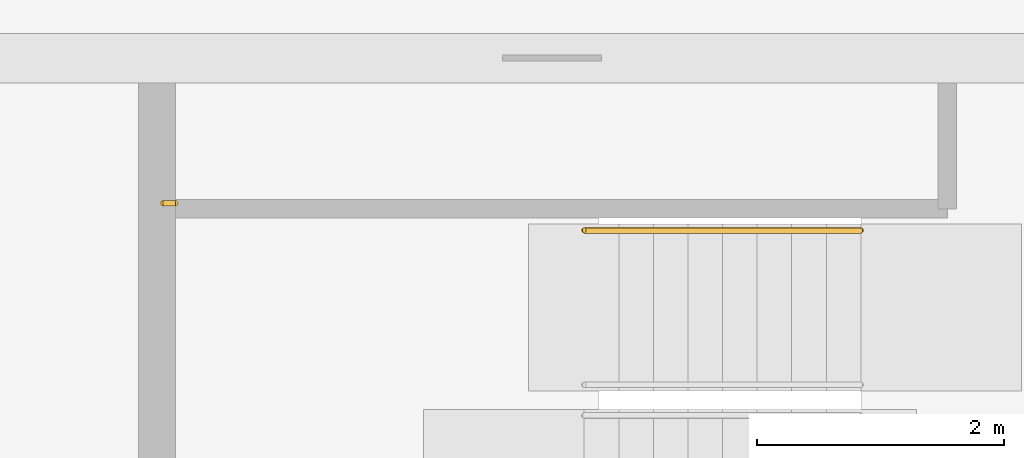
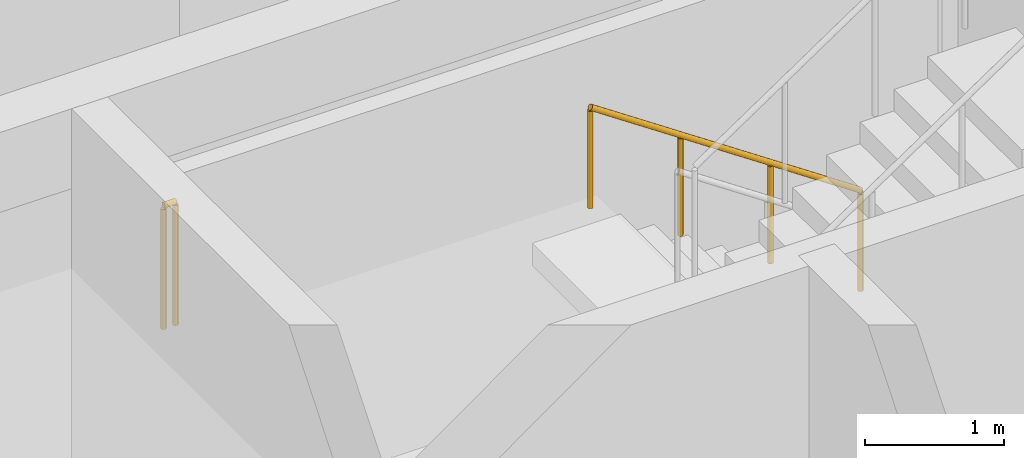
# One storey, part 11 of 12: 2 railings.
"""IFC4 building model written with IfcOpenShell, lengths in metres."""

from ifc_helpers import new_model, si_unit, direction, frame, origin, origin_2d, place, context, subcontext, project, spatial, circle, extrude, material, type_object, element, save


model = new_model("IFC4")

# Units and contexts
model_context = context("Model", 3, precision=1e-05, world=origin(), true_north=direction((0.0, 1.0)))
body_context = subcontext(model_context, "Body", "Model", "MODEL_VIEW")
ifc_project = project(units=[si_unit("LENGTHUNIT", "METRE"), si_unit("AREAUNIT", "SQUARE_METRE"), si_unit("VOLUMEUNIT", "CUBIC_METRE"), si_unit("PLANEANGLEUNIT", "RADIAN"), si_unit("MASSUNIT", "GRAM", prefix="KILO")], contexts=[model_context])

# Site, building, storey
site_placement = place(None, origin())
site = spatial("IfcSite", under=ifc_project, at=site_placement, CompositionType="ELEMENT")
building_placement = place(site_placement, origin())
building = spatial("IfcBuilding", under=site, at=building_placement, Name="Windrow Commons", CompositionType="ELEMENT")
storey_placement = place(building_placement, frame((0.0, 0.0, 277.8)))
storey = spatial("IfcBuildingStorey", under=building, at=storey_placement, Name="L76", CompositionType="ELEMENT", Elevation=277.8)

# Railings
ifc_material_1 = material(Name="Steel S355", Category="steel")
railing_type_1 = type_object("IfcRailingType", Name="Core stair guard 1100", PredefinedType="GUARDRAIL", material=ifc_material_1)
railing_1_placement = place(storey_placement, frame((64.95, 63.825, 1.7)))
element("IfcRailing", 1, at=railing_1_placement, inside=storey, type_object=railing_type_1, Name="L76 ST-A2 stair guard 3", PredefinedType="GUARDRAIL", context=body_context, shape_type="SweptSolid", body=[
    extrude(circle(Radius=0.024, at=origin_2d()), frame((0.0, 0.0, 1.076), z_axis=(-1.0, 0.0, 0.0), x_axis=(0.0, -1.0, 0.0)), (0.0, 0.0, 1.0), 0.1),
    extrude(circle(Radius=0.021, at=origin_2d()), origin(), (0.0, 0.0, 1.0), 1.052),
    extrude(circle(Radius=0.021, at=origin_2d()), frame((-0.1, 0.0, 0.0)), (0.0, 0.0, 1.0), 1.052),
])
ifc_material_2 = material(Name="Steel S355", Category="steel")
railing_type_2 = type_object("IfcRailingType", Name="Core stair handrail 900", PredefinedType="HANDRAIL", material=ifc_material_2)
railing_2_placement = place(storey_placement, frame((70.5, 63.605, 0.1889)))
element("IfcRailing", 2, at=railing_2_placement, inside=storey, type_object=railing_type_2, Name="L76 ST-A2 stair handrail 1", PredefinedType="HANDRAIL", context=body_context, shape_type="SweptSolid", body=[
    extrude(circle(Radius=0.024, at=origin_2d()), frame((0.0, 0.0, 0.876), z_axis=(-0.8290030985, 0.0, 0.5592440099), x_axis=(0.0, -1.0, 0.0)), (0.0, 0.0, 1.0), 2.702),
    extrude(circle(Radius=0.021, at=origin_2d()), origin(), (0.0, 0.0, 1.0), 0.852),
    extrude(circle(Radius=0.021, at=origin_2d()), frame((-0.7467, 0.0, 0.5037)), (0.0, 0.0, 1.0), 0.852),
    extrude(circle(Radius=0.021, at=origin_2d()), frame((-1.4933, 0.0, 1.0074)), (0.0, 0.0, 1.0), 0.852),
    extrude(circle(Radius=0.021, at=origin_2d()), frame((-2.24, 0.0, 1.5111)), (0.0, 0.0, 1.0), 0.852),
])

save(model, "model.ifc")
